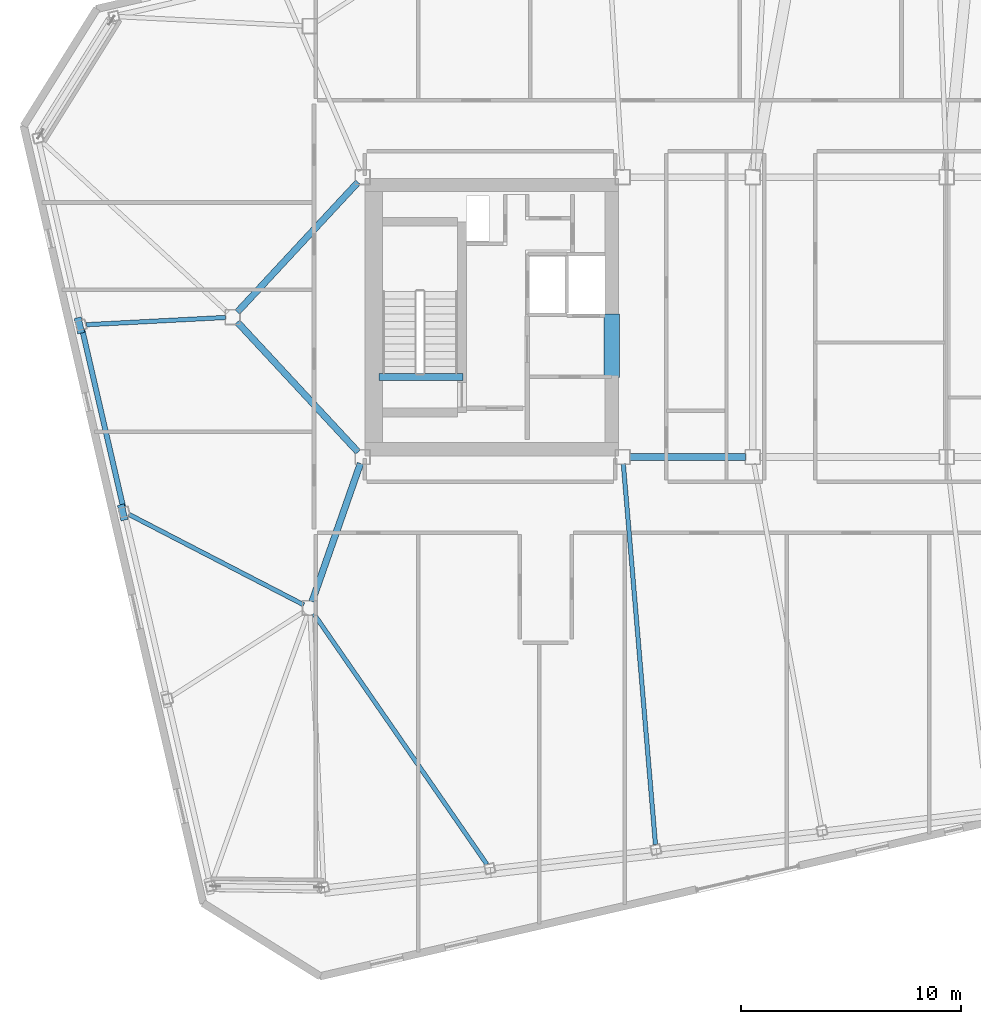
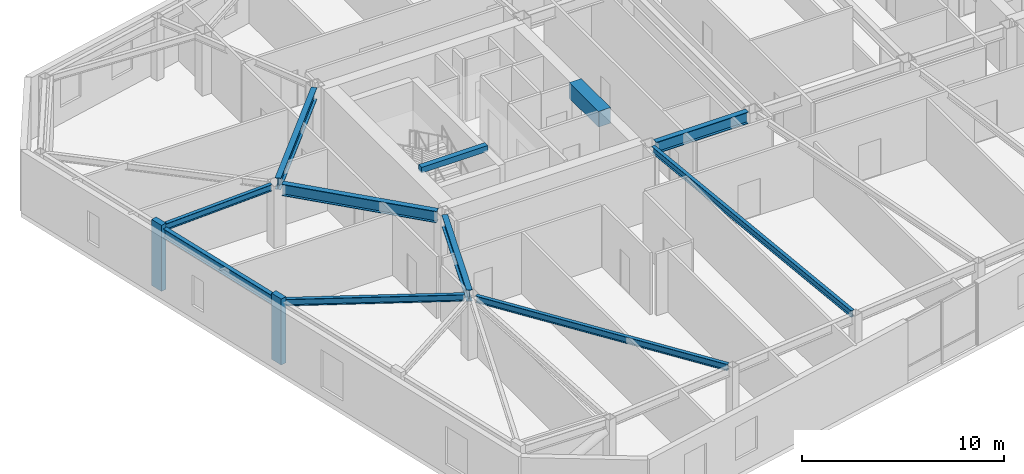
# One storey, part 7 of 22: 11 beams, 2 members.
"""IFC4 building model written with IfcOpenShell, lengths in metres."""

from ifc_helpers import new_model, si_unit, direction, frame, origin, origin_2d, place, context, subcontext, project, spatial, rectangle, i_section, extrude, material, material_profile, profile_set, type_object, element, save


model = new_model("IFC4")

# Units and contexts
model_context = context("Model", 3, precision=1e-05, world=origin(), true_north=direction((0.0, 1.0)))
body_context = subcontext(model_context, "Body", "Model", "MODEL_VIEW")
ifc_project = project(units=[si_unit("LENGTHUNIT", "METRE"), si_unit("AREAUNIT", "SQUARE_METRE"), si_unit("VOLUMEUNIT", "CUBIC_METRE"), si_unit("PLANEANGLEUNIT", "RADIAN"), si_unit("MASSUNIT", "GRAM", prefix="KILO")], contexts=[model_context])

# Site, building, storey
site_placement = place(None, origin())
site = spatial("IfcSite", under=ifc_project, at=site_placement, CompositionType="ELEMENT")
building_placement = place(site_placement, origin())
building = spatial("IfcBuilding", under=site, at=building_placement, Name="Tavrogorsk Clinical Tower", CompositionType="ELEMENT")
storey_placement = place(building_placement, frame((0.0, 0.0, 313.0)))
storey = spatial("IfcBuildingStorey", under=building, at=storey_placement, Name="L73", CompositionType="ELEMENT", Elevation=313.0)

# Beams
ifc_material_1 = material(Name="Concrete B80", Category="concrete")
ifc_material_profile_1 = material_profile(ifc_material_1, rectangle(XDim=0.699951171875, YDim=0.949951171875, at=origin_2d()), Name="RC-CB-700x950")
ifc_profile_set_1 = profile_set([ifc_material_profile_1], Name="Concrete B80")
beam_type_1 = type_object("IfcBeamType", Name="CouplingBeam_RC700x950", PredefinedType="LINTEL", material=ifc_profile_set_1)
beam_1_placement = place(storey_placement, frame((-10.800048828125, -2.75, 3.264892578125), z_axis=(0.0, 1.0, 0.0), x_axis=(-1.0, 0.0, 0.0)))
element("IfcBeam", 1, at=beam_1_placement, inside=storey, type_object=beam_type_1, Name="L73 Core West Coupling Beam", PredefinedType="LINTEL", context=body_context, shape_type="SweptSolid", body=[
    extrude(rectangle(XDim=0.699951171875, YDim=0.949951171875, at=origin_2d()), origin(), (0.0, 0.0, 1.0), 2.89990234375),
])
ifc_material_2 = material(Name="Structural steel S355", Category="steel")
ifc_material_profile_2 = material_profile(ifc_material_2, i_section(OverallWidth=0.199951171875, OverallDepth=0.39990234375, WebThickness=0.010498046875, FlangeThickness=0.01611328125, at=origin_2d()), Name="B-400x200x10.5x16")
ifc_profile_set_2 = profile_set([ifc_material_profile_2], Name="Structural steel S355")
beam_type_2 = type_object("IfcBeamType", Name="FloorBeam_B400", PredefinedType="BEAM", material=ifc_profile_set_2)
beam_2_placement = place(storey_placement, frame((-24.32373046875, -13.455078125, 3.5400390625), z_axis=(0.568335848504, -0.82279667191, 0.0), x_axis=(0.82279667191, 0.568335848504, 0.0)))
element("IfcBeam", 2, at=beam_2_placement, inside=storey, type_object=beam_type_2, Name="L73 Radial Floor Beam S2", PredefinedType="BEAM", context=body_context, shape_type="SweptSolid", body=[
    extrude(i_section(OverallWidth=0.199951171875, OverallDepth=0.39990234375, WebThickness=0.010498046875, FlangeThickness=0.01611328125, at=origin_2d()), origin(), (0.0, 0.0, 1.0), 13.831298828125),
])
beam_3_placement = place(storey_placement, frame((-10.27392578125, -6.658935546875, 3.5400390625), z_axis=(0.084215365049, -0.996447576288, 0.0), x_axis=(0.996447576288, 0.084215365049, 0.0)))
element("IfcBeam", 3, at=beam_3_placement, inside=storey, type_object=beam_type_2, Name="L73 Radial Floor Beam S3", PredefinedType="BEAM", context=body_context, shape_type="SweptSolid", body=[
    extrude(i_section(OverallWidth=0.199951171875, OverallDepth=0.39990234375, WebThickness=0.010498046875, FlangeThickness=0.01611328125, at=origin_2d()), origin(), (0.0, 0.0, 1.0), 17.3388671875),
])
beam_4_placement = place(storey_placement, frame((-28.3095703125, -0.01611328125, 3.5400390625), z_axis=(-0.99864101713, -0.052116397656, 0.0), x_axis=(0.052116397656, -0.99864101713, 0.0)))
element("IfcBeam", 4, at=beam_4_placement, inside=storey, type_object=beam_type_2, Name="L73 Radial Floor Beam W2", PredefinedType="BEAM", context=body_context, shape_type="SweptSolid", body=[
    extrude(i_section(OverallWidth=0.199951171875, OverallDepth=0.39990234375, WebThickness=0.010498046875, FlangeThickness=0.01611328125, at=origin_2d()), origin(), (0.0, 0.0, 1.0), 6.3427734375),
])
beam_5_placement = place(storey_placement, frame((-24.775390625, -13.0576171875, 3.5400390625), z_axis=(-0.888188417157, 0.459479418069, 0.0), x_axis=(-0.459479418069, -0.888188417157, 0.0)))
element("IfcBeam", 5, at=beam_5_placement, inside=storey, type_object=beam_type_2, Name="L73 Radial Floor Beam W3", PredefinedType="BEAM", context=body_context, shape_type="SweptSolid", body=[
    extrude(i_section(OverallWidth=0.199951171875, OverallDepth=0.39990234375, WebThickness=0.010498046875, FlangeThickness=0.01611328125, at=origin_2d()), origin(), (0.0, 0.0, 1.0), 8.93408203125),
])

# Members
ifc_material_3 = material(Name="Precast concrete B45 with limestone cladding", Category="masonry")
ifc_material_profile_3 = material_profile(ifc_material_3, rectangle(XDim=0.320068359375, YDim=0.719970703125, at=origin_2d()), Name="LIMESTONE-FIN-320x720")
ifc_profile_set_3 = profile_set([ifc_material_profile_3], Name="Precast concrete B45 with limestone cladding")
member_type = type_object("IfcMemberType", Name="LimestonePleatFin_320x720", PredefinedType="USERDEFINED", material=ifc_profile_set_3)
for number, where, z_axis, x_axis, name in (
    (6, (-34.95458984375, -0.376708984375, 0.0), (0.0, 0.0, 1.0), (0.974370064785, 0.224951054344, 0.0), "L73 W Pleated Stone Fin 1"),
    (7, (-32.995361328125, -8.863525390625, 0.0), (0.0, 0.0, 1.0), (0.974370064785, 0.224951054344, 0.0), "L73 W Pleated Stone Fin 2"),
):
    element("IfcMember", number, at=place(storey_placement, frame(where, z_axis=z_axis, x_axis=x_axis)), inside=storey, type_object=member_type, Name=name, ObjectType="FIN", PredefinedType="USERDEFINED", context=body_context, shape_type="SweptSolid", body=[
        extrude(rectangle(XDim=0.320068359375, YDim=0.719970703125, at=origin_2d()), origin(), (0.0, 0.0, 1.0), 4.0),
    ])

# Beams
ifc_material_4 = material(Name="Structural steel S390", Category="steel")
ifc_material_profile_4 = material_profile(ifc_material_4, i_section(OverallWidth=0.300048828125, OverallDepth=0.699951171875, WebThickness=0.01708984375, FlangeThickness=0.028076171875, at=origin_2d()), Name="B-700x300x17x28")
ifc_profile_set_4 = profile_set([ifc_material_profile_4], Name="Structural steel S390")
beam_type_3 = type_object("IfcBeamType", Name="PrimaryGirder_B700", PredefinedType="USERDEFINED", material=ifc_profile_set_4)
beam_6_placement = place(storey_placement, frame((-9.989990234375, -6.35009765625, 3.389892578125), z_axis=(1.0, 0.0, 0.0), x_axis=(0.0, 1.0, 0.0)))
element("IfcBeam", 8, at=beam_6_placement, inside=storey, type_object=beam_type_3, Name="L73 Primary Spine Girder MG-01", ObjectType="GIRDER", PredefinedType="USERDEFINED", context=body_context, shape_type="SweptSolid", body=[
    extrude(i_section(OverallWidth=0.300048828125, OverallDepth=0.699951171875, WebThickness=0.01708984375, FlangeThickness=0.028076171875, at=origin_2d()), origin(), (0.0, 0.0, 1.0), 5.280029296875),
])
beam_7_placement = place(storey_placement, frame((-24.3974609375, -12.907470703125, 3.389892578125), z_axis=(0.330666578092, 0.943747643246, 0.0), x_axis=(-0.943747643246, 0.330666578092, 0.0)))
element("IfcBeam", 9, at=beam_7_placement, inside=storey, type_object=beam_type_3, Name="L73 Spine Link Girder OPG-1", ObjectType="GIRDER", PredefinedType="USERDEFINED", context=body_context, shape_type="SweptSolid", body=[
    extrude(i_section(OverallWidth=0.300048828125, OverallDepth=0.699951171875, WebThickness=0.01708984375, FlangeThickness=0.028076171875, at=origin_2d()), origin(), (0.0, 0.0, 1.0), 6.638427734375),
])
for number, where, z_axis, x_axis, name in (
    (10, (-27.7890625, -0.22705078125, 3.389892578125), (0.680677963005, -0.732582767119, 0.0), (0.732582767119, 0.680677963005, 0.0), "L73 Spine Link Girder OPG-5"),
    (11, (-27.7890625, 0.22705078125, 3.389892578125), (0.680677963005, 0.732582767119, 0.0), (-0.732582767119, 0.680677963005, 0.0), "L73 Spine Link Girder OPG-6"),
):
    element("IfcBeam", number, at=place(storey_placement, frame(where, z_axis=z_axis, x_axis=x_axis)), inside=storey, type_object=beam_type_3, Name=name, ObjectType="GIRDER", PredefinedType="USERDEFINED", context=body_context, shape_type="SweptSolid", body=[
        extrude(i_section(OverallWidth=0.300048828125, OverallDepth=0.699951171875, WebThickness=0.01708984375, FlangeThickness=0.028076171875, at=origin_2d()), origin(), (0.0, 0.0, 1.0), 8.0478515625),
    ])
ifc_material_5 = material(Name="Structural steel S390", Category="steel")
ifc_material_profile_5 = material_profile(ifc_material_5, i_section(OverallWidth=0.239990234375, OverallDepth=0.550048828125, WebThickness=0.013916015625, FlangeThickness=0.02197265625, at=origin_2d()), Name="B-550x240x14x22")
ifc_profile_set_5 = profile_set([ifc_material_profile_5], Name="Structural steel S390")
beam_type_4 = type_object("IfcBeamType", Name="SpandrelBeam_B550", PredefinedType="SPANDREL", material=ifc_profile_set_5)
beam_8_placement = place(storey_placement, frame((-34.82421875, -0.585693359375, 3.465087890625), z_axis=(0.224950345141, -0.974370228517, 0.0), x_axis=(0.974370228517, 0.224950345141, 0.0)))
element("IfcBeam", 12, at=beam_8_placement, inside=storey, type_object=beam_type_4, Name="L73 Perimeter Spandrel W2-W3", PredefinedType="SPANDREL", context=body_context, shape_type="SweptSolid", body=[
    extrude(i_section(OverallWidth=0.239990234375, OverallDepth=0.550048828125, WebThickness=0.013916015625, FlangeThickness=0.02197265625, at=origin_2d()), origin(), (0.0, 0.0, 1.0), 8.243896484375),
])
ifc_material_6 = material(Name="Concrete B60", Category="concrete")
ifc_material_profile_6 = material_profile(ifc_material_6, rectangle(XDim=0.300048828125, YDim=0.35009765625, at=origin_2d()), Name="RC-SHB-300x350")
ifc_profile_set_6 = profile_set([ifc_material_profile_6], Name="Concrete B60")
beam_type_5 = type_object("IfcBeamType", Name="StairHeaderBeam_RC300x350", PredefinedType="BEAM", material=ifc_profile_set_6)
beam_9_placement = place(storey_placement, frame((-21.35009765625, -2.719970703125, 3.824951171875), z_axis=(1.0, 0.0, 0.0), x_axis=(0.0, 1.0, 0.0)))
element("IfcBeam", 13, at=beam_9_placement, inside=storey, type_object=beam_type_5, Name="L74 ST-W Landing Header Beam", PredefinedType="BEAM", context=body_context, shape_type="SweptSolid", body=[
    extrude(rectangle(XDim=0.300048828125, YDim=0.35009765625, at=origin_2d()), origin(), (0.0, 0.0, 1.0), 3.800048828125),
])

save(model, "model.ifc")
